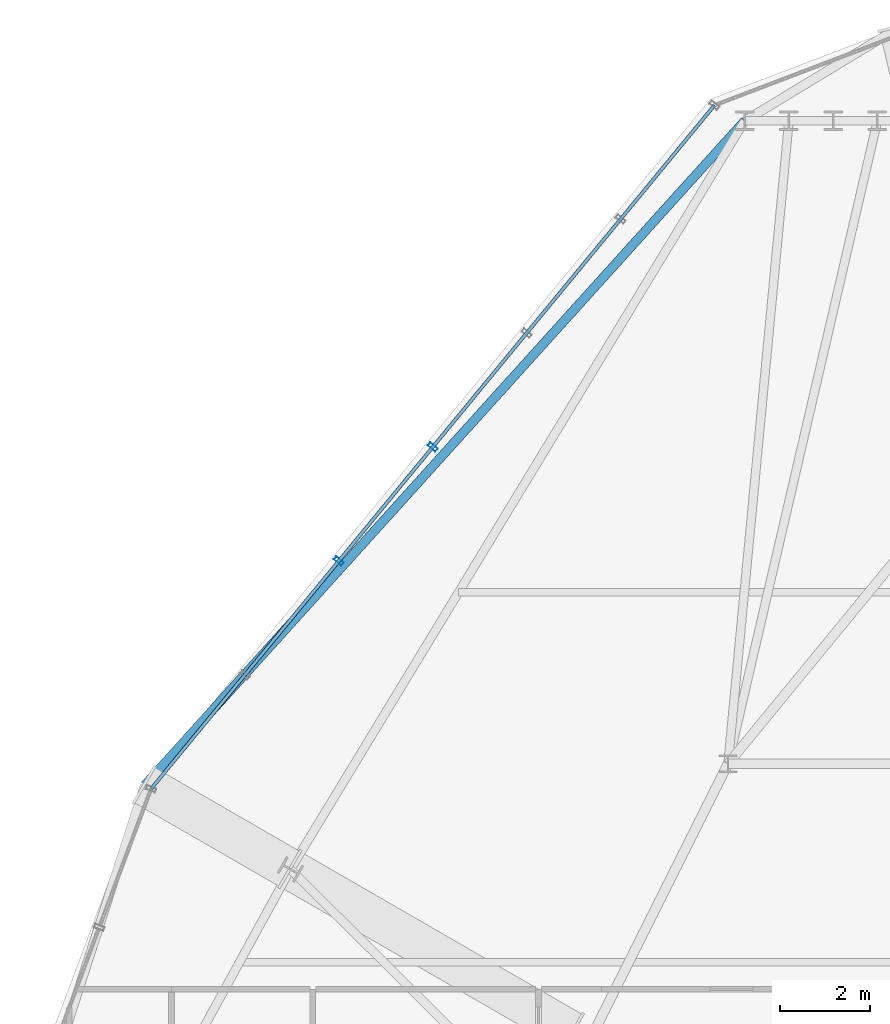
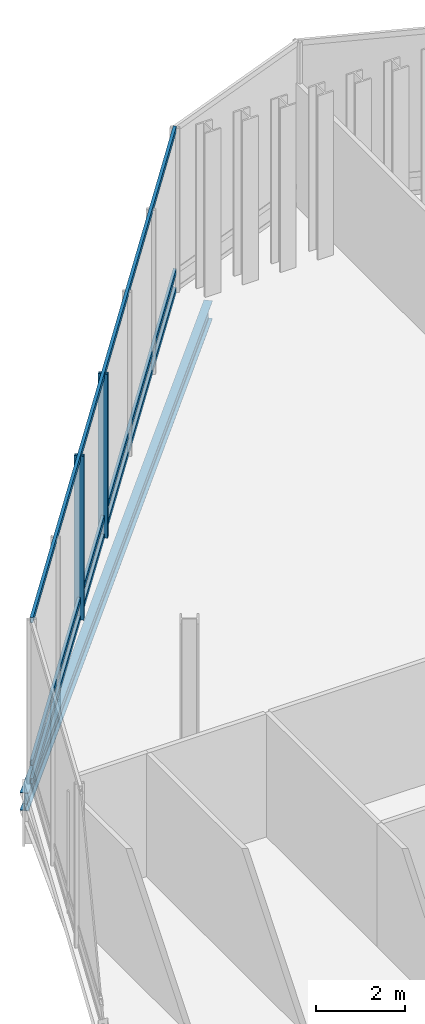
# One storey, part 15 of 29: 5 members, 1 beam, 1 element without a shape of its own.
"""IFC4 building model written with IfcOpenShell, lengths in metres."""

import ifcopenshell
import ifcopenshell.guid

model = None  # the IFC model being written
_history = None  # IfcOwnerHistory: only IFC2X3 demands one
_inside = {}  # id of a spatial element -> (the spatial element, [elements in it])
_under = {}  # id of a project, library or spatial element -> (it, [spatial elements below it])
_declared = {}  # id of a project -> (the project, [libraries it declares])
_typed = {}  # id of a type object -> (the type object, [elements of that type])
_made_of = {}  # id of a material, layer set ... -> (it, [elements and type objects made of it])


def new_model(schema):
    """Start an empty IFC model of exactly this schema.

    Asked for "IFC4X3", IfcOpenShell would pick the latest addendum, in which some entities
    have other attributes; the version numbers below select the first issue.
    IFC2X3 requires an IfcOwnerHistory on every rooted entity: one is made here for all.
    """
    global model, _history
    if schema == "IFC4X3":
        model = ifcopenshell.file(schema_version=(4, 3, 0, 0))
    else:
        model = ifcopenshell.file(schema=schema)
    _inside.clear()
    _under.clear()
    _declared.clear()
    _typed.clear()
    _made_of.clear()
    _history = None
    if model.schema == "IFC2X3":
        org = make("IfcOrganization", Name="unknown")
        user = make(
            "IfcPersonAndOrganization",
            ThePerson=make("IfcPerson", FamilyName="unknown"),
            TheOrganization=org,
        )
        app = make(
            "IfcApplication",
            ApplicationDeveloper=org,
            Version="unknown",
            ApplicationFullName="unknown",
            ApplicationIdentifier="unknown",
        )
        _history = make(
            "IfcOwnerHistory",
            OwningUser=user,
            OwningApplication=app,
            ChangeAction="ADDED",
            CreationDate=0,
        )
    return model


def make(cls, **values):
    """One entity of the class cls with the attributes given. An attribute that is None is left unset."""
    return model.create_entity(
        cls, **{name: value for name, value in values.items() if value is not None}
    )


def rooted(cls, **values):
    """An entity with a GlobalId (a new one), such as an element, a storey or a relation."""
    return make(cls, GlobalId=ifcopenshell.guid.new(), OwnerHistory=_history, **values)


def si_unit(unit_type, name, prefix=None):
    """IfcSIUnit, for example si_unit("LENGTHUNIT", "METRE", prefix="MILLI")."""
    return make("IfcSIUnit", UnitType=unit_type, Prefix=prefix, Name=name)


def assignment(units):
    """IfcUnitAssignment: the units of a project."""
    return None if units is None else make("IfcUnitAssignment", Units=units)


def point(xyz):
    """IfcCartesianPoint."""
    return None if xyz is None else make("IfcCartesianPoint", Coordinates=xyz)


def direction(xyz):
    """IfcDirection."""
    return None if xyz is None else make("IfcDirection", DirectionRatios=xyz)


def frame(location, z_axis=None, x_axis=None):
    """IfcAxis2Placement3D, a coordinate frame: its origin and axes. An axis left out is left unset."""
    return make(
        "IfcAxis2Placement3D",
        Location=point(location),
        Axis=direction(z_axis),
        RefDirection=direction(x_axis),
    )


def frame_2d(location, x_axis=None):
    """IfcAxis2Placement2D, a coordinate frame in the plane: its origin and x axis."""
    return make(
        "IfcAxis2Placement2D", Location=point(location), RefDirection=direction(x_axis)
    )


def origin():
    """The frame at (0, 0, 0) with its axes left unset."""
    return frame((0.0, 0.0, 0.0))


def origin_2d():
    """The frame at (0, 0) in the plane with its x axis left unset."""
    return frame_2d((0.0, 0.0))


def place(relative_to, where):
    """IfcLocalPlacement: puts the frame where relative to a parent placement (None: the world)."""
    return make(
        "IfcLocalPlacement", PlacementRelTo=relative_to, RelativePlacement=where
    )


def context(
    kind, dimensions, precision=None, world=None, true_north=None, identifier=None
):
    """IfcGeometricRepresentationContext, for example the 3D "Model" context."""
    return make(
        "IfcGeometricRepresentationContext",
        ContextIdentifier=identifier,
        ContextType=kind,
        CoordinateSpaceDimension=dimensions,
        Precision=precision,
        WorldCoordinateSystem=world,
        TrueNorth=true_north,
    )


def subcontext(parent, identifier, kind, view, scale=None):
    """IfcGeometricRepresentationSubContext, for example "Body" below "Model"."""
    return make(
        "IfcGeometricRepresentationSubContext",
        ContextIdentifier=identifier,
        ContextType=kind,
        ParentContext=parent,
        TargetScale=scale,
        TargetView=view,
    )


def project(units=None, contexts=None):
    """IfcProject with its units and contexts."""
    return rooted(
        "IfcProject",
        Name="project",
        RepresentationContexts=contexts,
        UnitsInContext=assignment(units),
    )


def spatial(cls, under=None, at=None, **own):
    """A site, building, storey or space (cls), placed at a placement, below another one or the project."""
    s = rooted(cls, ObjectPlacement=at, **own)
    if under is not None:
        _under.setdefault(under.id(), (under, []))[1].append(s)
    return s


def profile(cls, at=None, kind="AREA", **sizes):
    """A parametric profile (cls). Its sizes go by their IFC names, for example OverallWidth=200.0."""
    return make(cls, ProfileType=kind, Position=at, **sizes)


def hollow_rectangle(**sizes):
    """IfcRectangleHollowProfileDef."""
    return profile("IfcRectangleHollowProfileDef", **sizes)


def i_section(**sizes):
    """IfcIShapeProfileDef."""
    return profile("IfcIShapeProfileDef", **sizes)


def extrude(swept, where, along, depth):
    """IfcExtrudedAreaSolid: the profile swept, set in the frame where, extruded along a direction by depth."""
    return make(
        "IfcExtrudedAreaSolid",
        SweptArea=swept,
        Position=where,
        ExtrudedDirection=direction(along),
        Depth=depth,
    )


def shape(context_of_items, identifier, shape_type, items):
    """IfcShapeRepresentation: the items that make up one representation, for example the "Body"."""
    return make(
        "IfcShapeRepresentation",
        ContextOfItems=context_of_items,
        RepresentationIdentifier=identifier,
        RepresentationType=shape_type,
        Items=items,
    )


def material(Name=None, Category=None):
    """IfcMaterial."""
    return make("IfcMaterial", Name=Name, Category=Category)


def layer(
    of_material, thickness, ventilated=None, Name=None, Category=None, Priority=None
):
    """IfcMaterialLayer: one layer of a wall or slab, of a material (None: an air gap)."""
    return make(
        "IfcMaterialLayer",
        Material=of_material,
        LayerThickness=thickness,
        IsVentilated=ventilated,
        Name=Name,
        Category=Category,
        Priority=Priority,
    )


def layer_set(layers, Name=None):
    """IfcMaterialLayerSet."""
    return make("IfcMaterialLayerSet", MaterialLayers=layers, LayerSetName=Name)


def material_profile(
    of_material, cross_section, Name=None, Category=None, Priority=None
):
    """IfcMaterialProfile: a cross section and its material."""
    return make(
        "IfcMaterialProfile",
        Name=Name,
        Material=of_material,
        Profile=cross_section,
        Priority=Priority,
        Category=Category,
    )


def profile_set(profiles, Name=None, composite=None):
    """IfcMaterialProfileSet."""
    return make(
        "IfcMaterialProfileSet",
        Name=Name,
        MaterialProfiles=profiles,
        CompositeProfile=composite,
    )


def made_of(thing, what):
    """Note that an element or type object is made of a material, layer set ...; save() writes the relation."""
    if what is not None:
        _made_of.setdefault(what.id(), (what, []))[1].append(thing)
    return thing


def type_object(cls, material=None, **own):
    """A type object (cls), such as IfcWallType, which elements share."""
    return made_of(rooted(cls, **own), material)


def element(
    cls,
    number,
    at=None,
    inside=None,
    cuts=None,
    type_object=None,
    material=None,
    context=None,
    identifier="Body",
    shape_type=None,
    held_by="IfcProductDefinitionShape",
    body=None,
    shapes=None,
    **own,
):
    """One element of the class cls, such as IfcWall. Its Tag is "e" and its number.

    at: its placement. inside: the storey or other place that contains it. cuts: it is an
    opening in that element (IfcRelVoidsElement). A single representation is given by context,
    identifier, shape_type and body (its items); several are given by shapes. held_by: the class
    of the entity that holds the representations. save() writes the other relations.
    """
    e = rooted(cls, Tag="e%d" % number, ObjectPlacement=at, **own)
    if body is not None:
        shapes = [shape(context, identifier, shape_type, body)]
    if shapes is not None:
        e.Representation = make(held_by, Representations=shapes)
    if inside is not None:
        _inside.setdefault(inside.id(), (inside, []))[1].append(e)
    if cuts is not None:
        rooted(
            "IfcRelVoidsElement", RelatingBuildingElement=cuts, RelatedOpeningElement=e
        )
    if type_object is not None:
        _typed.setdefault(type_object.id(), (type_object, []))[1].append(e)
    return made_of(e, material)


def aggregate(whole, parts):
    """IfcRelAggregates: a whole, such as a stair, and the parts it consists of."""
    return rooted("IfcRelAggregates", RelatingObject=whole, RelatedObjects=parts)


def save(model, path):
    """Write the relations noted so far, then the file.

    IfcRelAggregates (storeys below a building ...), IfcRelContainedInSpatialStructure (elements
    in a storey), IfcRelDefinesByType, IfcRelAssociatesMaterial and IfcRelDeclares: one each for
    every whole, place, type object, material and project.
    """
    for whole, parts in _under.values():
        aggregate(whole, parts)
    for where, things in _inside.values():
        rooted(
            "IfcRelContainedInSpatialStructure",
            RelatedElements=things,
            RelatingStructure=where,
        )
    for kind, things in _typed.values():
        rooted("IfcRelDefinesByType", RelatedObjects=things, RelatingType=kind)
    for what, things in _made_of.values():
        rooted("IfcRelAssociatesMaterial", RelatedObjects=things, RelatingMaterial=what)
    for by, libraries in _declared.values():
        rooted("IfcRelDeclares", RelatingContext=by, RelatedDefinitions=libraries)
    model.write(path)


model = new_model("IFC4")

# Units and contexts
model_context = context("Model", 3, precision=1e-05, world=origin(), true_north=direction((0.0, 1.0)))
body_context = subcontext(model_context, "Body", "Model", "MODEL_VIEW")
ifc_project = project(units=[si_unit("LENGTHUNIT", "METRE"), si_unit("AREAUNIT", "SQUARE_METRE"), si_unit("VOLUMEUNIT", "CUBIC_METRE"), si_unit("PLANEANGLEUNIT", "RADIAN"), si_unit("MASSUNIT", "GRAM", prefix="KILO")], contexts=[model_context])

# Site, building, storey
site_placement = place(None, origin())
site = spatial("IfcSite", under=ifc_project, at=site_placement, CompositionType="ELEMENT")
building_placement = place(site_placement, origin())
building = spatial("IfcBuilding", under=site, at=building_placement, Name="Ndaravel Arena Tower", CompositionType="ELEMENT")
storey_placement = place(building_placement, frame((0.0, 0.0, 208.39990234375)))
storey = spatial("IfcBuildingStorey", under=building, at=storey_placement, Name="L50", CompositionType="ELEMENT", Elevation=208.39990234375)

# Beam
ifc_material_1 = material(Name="Steel S355", Category="steel")
ifc_material_profile_1 = material_profile(ifc_material_1, i_section(OverallWidth=0.199951171875, OverallDepth=0.5, WebThickness=0.01025390625, FlangeThickness=0.01611328125, FilletRadius=0.02099609375, at=origin_2d()), Name="IPE 500")
ifc_profile_set_1 = profile_set([ifc_material_profile_1], Name="Steel S355")
beam_type = type_object("IfcBeamType", Name="BM-SPAN-IPE500", PredefinedType="SPANDREL", material=ifc_profile_set_1)
beam_placement = place(storey_placement, frame((38.568603515625, 45.44482421875, -0.52978515625), z_axis=(-0.670281447872, -0.742106987327, 0.0), x_axis=(0.742106987327, -0.670281447872, 0.0)))
element("IfcBeam", 1, at=beam_placement, inside=storey, type_object=beam_type, Name="L50 Star Facet Edge Beam SEA-6", PredefinedType="SPANDREL", context=body_context, shape_type="SweptSolid", body=[
    extrude(i_section(OverallWidth=0.199951171875, OverallDepth=0.5, WebThickness=0.01025390625, FlangeThickness=0.01611328125, FilletRadius=0.02099609375, at=origin_2d()), origin(), (0.0, 0.0, 1.0), 19.8369140625),
])

# Curtain wall, members
ifc_material_2 = material(Name="Aluminium", Category="aluminium")
ifc_layer = layer(ifc_material_2, 0.179931640625)
ifc_layer_set = layer_set([ifc_layer], Name="Aluminium")
curtain_wall_type = type_object("IfcCurtainWallType", Name="CW-SYS-04", PredefinedType="NOTDEFINED", material=ifc_layer_set)
curtain_wall_placement = place(storey_placement, origin())
curtain_wall = element("IfcCurtainWall", 2, at=curtain_wall_placement, inside=storey, type_object=curtain_wall_type, Name="L50 Faceted Crystal Curtain Wall CW-L50-E10", PredefinedType="NOTDEFINED")
ifc_material_3 = material(Name="Aluminium", Category="aluminium")
ifc_material_profile_2 = material_profile(ifc_material_3, hollow_rectangle(XDim=0.090087890625, YDim=0.219970703125, WallThickness=0.0048828125, at=origin_2d()), Name="CW MULLION 90x220x5")
ifc_profile_set_2 = profile_set([ifc_material_profile_2], Name="Aluminium")
member_type_1 = type_object("IfcMemberType", Name="MEM-CW-MUL220", PredefinedType="MULLION", material=ifc_profile_set_2)
member_1_placement = place(storey_placement, frame((31.655029296875, 38.216552734375, 0.0), z_axis=(0.0, 0.0, 1.0), x_axis=(-0.636024349169, -0.771668988144, 0.0)))
member_1 = element("IfcMember", 3, at=member_1_placement, type_object=member_type_1, Name="CW-L50-E10 Mullion 03", PredefinedType="MULLION", context=body_context, shape_type="SweptSolid", body=[
    extrude(hollow_rectangle(XDim=0.090087890625, YDim=0.219970703125, WallThickness=0.0048828125, at=origin_2d()), origin(), (0.0, 0.0, 1.0), 4.52001953125),
])
member_2_placement = place(storey_placement, frame((29.57421875, 35.69189453125, 0.0), z_axis=(0.0, 0.0, 1.0), x_axis=(-0.636024349169, -0.771668988144, 0.0)))
member_2 = element("IfcMember", 4, at=member_2_placement, type_object=member_type_1, Name="CW-L50-E10 Mullion 04", PredefinedType="MULLION", context=body_context, shape_type="SweptSolid", body=[
    extrude(hollow_rectangle(XDim=0.090087890625, YDim=0.219970703125, WallThickness=0.0048828125, at=origin_2d()), origin(), (0.0, 0.0, 1.0), 4.52001953125),
])
ifc_material_4 = material(Name="Aluminium", Category="aluminium")
ifc_material_profile_3 = material_profile(ifc_material_4, hollow_rectangle(XDim=0.074951171875, YDim=0.14990234375, WallThickness=0.00390625, at=origin_2d()), Name="CW TRANSOM 75x150x4")
ifc_profile_set_3 = profile_set([ifc_material_profile_3], Name="Aluminium")
member_type_2 = type_object("IfcMemberType", Name="MEM-CW-TRN150", PredefinedType="USERDEFINED", material=ifc_profile_set_3)
member_3_placement = place(storey_placement, frame((37.897705078125, 45.790283203125, 0.0400390625), z_axis=(-0.636026745069, -0.771667013391, 0.0), x_axis=(0.771667013391, -0.636026745069, 0.0)))
member_3 = element("IfcMember", 5, at=member_3_placement, type_object=member_type_2, Name="CW-L50-E10 Transom 01", ObjectType="TRANSOM", PredefinedType="USERDEFINED", context=body_context, shape_type="SweptSolid", body=[
    extrude(hollow_rectangle(XDim=0.074951171875, YDim=0.14990234375, WallThickness=0.00390625, at=origin_2d()), origin(), (0.0, 0.0, 1.0), 19.6298828125),
])
member_4_placement = place(storey_placement, frame((37.897705078125, 45.790283203125, 0.550048828125), z_axis=(-0.636026745069, -0.771667013391, 0.0), x_axis=(0.771667013391, -0.636026745069, 0.0)))
member_4 = element("IfcMember", 6, at=member_4_placement, type_object=member_type_2, Name="CW-L50-E10 Transom 02", ObjectType="TRANSOM", PredefinedType="USERDEFINED", context=body_context, shape_type="SweptSolid", body=[
    extrude(hollow_rectangle(XDim=0.074951171875, YDim=0.14990234375, WallThickness=0.00390625, at=origin_2d()), origin(), (0.0, 0.0, 1.0), 19.6298828125),
])
member_5_placement = place(storey_placement, frame((37.897705078125, 45.790283203125, 4.47998046875), z_axis=(-0.636026745069, -0.771667013391, 0.0), x_axis=(0.771667013391, -0.636026745069, 0.0)))
member_5 = element("IfcMember", 7, at=member_5_placement, type_object=member_type_2, Name="CW-L50-E10 Transom 03", ObjectType="TRANSOM", PredefinedType="USERDEFINED", context=body_context, shape_type="SweptSolid", body=[
    extrude(hollow_rectangle(XDim=0.074951171875, YDim=0.14990234375, WallThickness=0.00390625, at=origin_2d()), origin(), (0.0, 0.0, 1.0), 19.6298828125),
])
aggregate(curtain_wall, [member_1, member_2, member_3, member_4, member_5])

save(model, "model.ifc")
